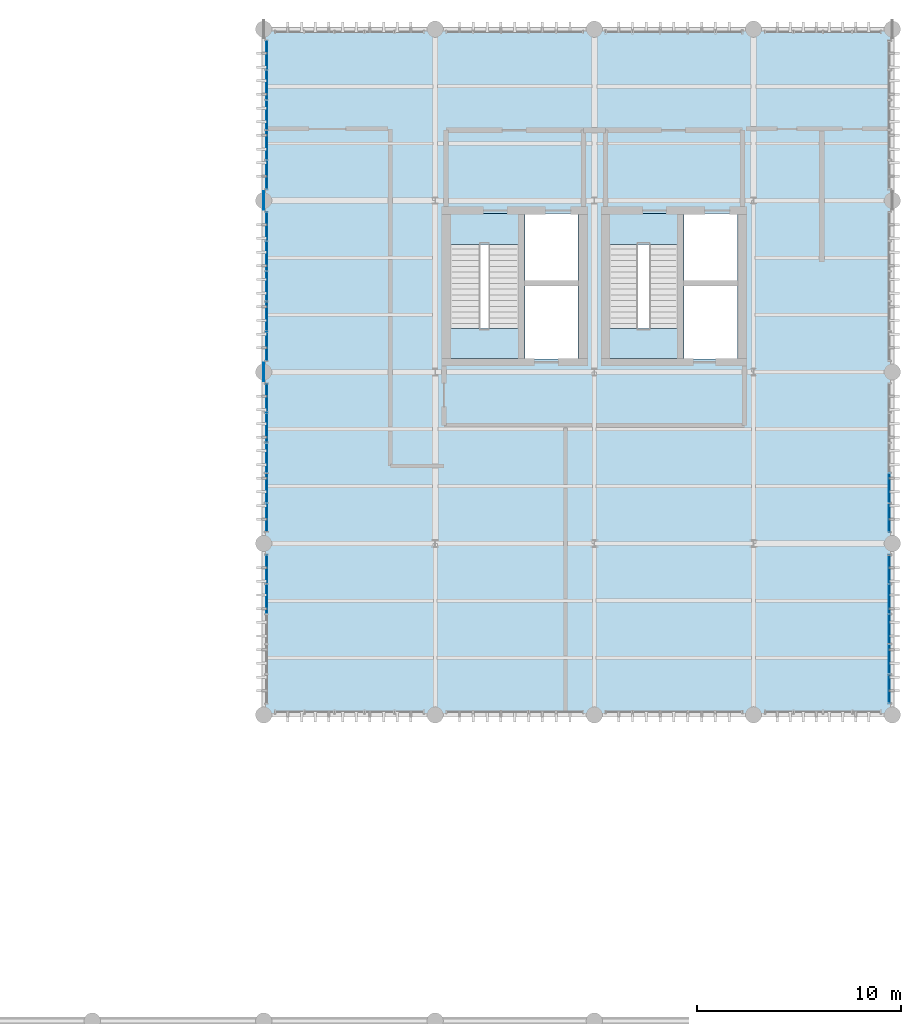
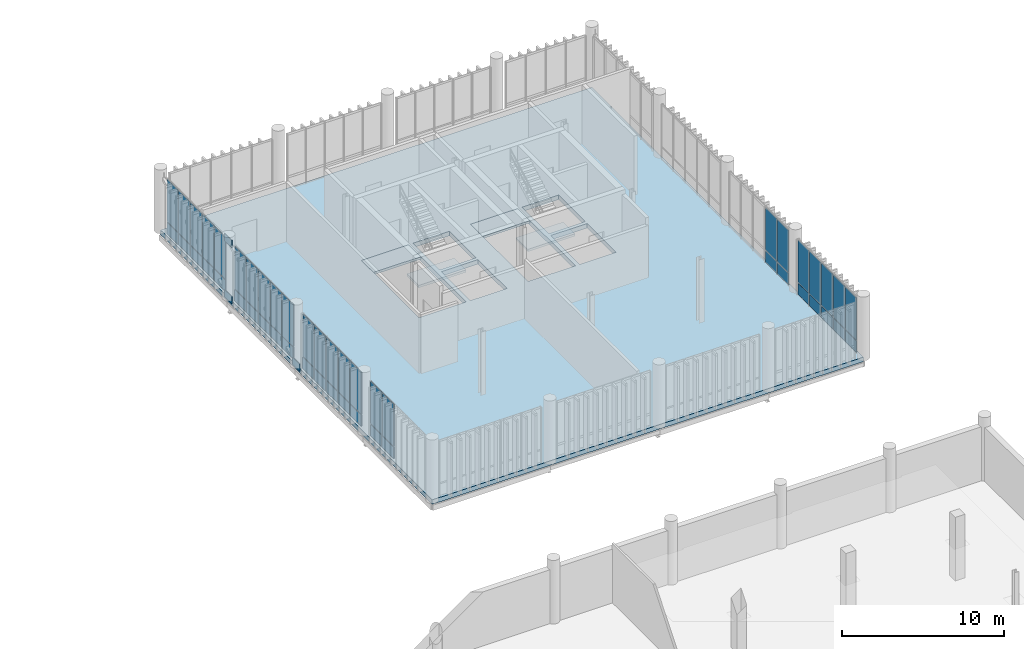
# One storey, part 73 of 94: 51 plates, 5 slabs, 8 elements without a shape of their own.
"""IFC4 building model written with IfcOpenShell, lengths in metres."""

from ifc_helpers import new_model, si_unit, direction, frame, frame_2d, origin_with_axes, origin_2d_with_axis, place, context, subcontext, project, spatial, polyline, rectangle, outline, extrude, material, layer, layer_set, type_object, element, aggregate, save


model = new_model("IFC4")

# Units and contexts
model_context = context("Model", 3, precision=1e-05, world=origin_with_axes(), true_north=direction((0.0, 1.0)))
body_context = subcontext(model_context, "Body", "Model", "MODEL_VIEW")
ifc_project = project(units=[si_unit("LENGTHUNIT", "METRE"), si_unit("AREAUNIT", "SQUARE_METRE"), si_unit("VOLUMEUNIT", "CUBIC_METRE"), si_unit("PLANEANGLEUNIT", "RADIAN"), si_unit("MASSUNIT", "GRAM", prefix="KILO"), si_unit("THERMODYNAMICTEMPERATUREUNIT", "KELVIN")], contexts=[model_context])

# Site, building, storey
site_placement = place(None, origin_with_axes())
site = spatial("IfcSite", under=ifc_project, at=site_placement, CompositionType="ELEMENT")
building_placement = place(site_placement, origin_with_axes())
building = spatial("IfcBuilding", under=site, at=building_placement, Name="Montbau Bow Law Courts", CompositionType="ELEMENT")
storey_placement = place(building_placement, frame((0.0, 0.0, 15.6), z_axis=(0.0, 0.0, 1.0), x_axis=(1.0, 0.0, 0.0)))
storey = spatial("IfcBuildingStorey", under=building, at=storey_placement, Name="L03", CompositionType="ELEMENT", Elevation=15.6)

# Curtain wall, plates
ifc_material_1 = material(Name="Thermally Broken Extruded Aluminium AA 6063-T6", Category="aluminium")
curtain_wall_type = type_object("IfcCurtainWallType", Name="CW-SLT-01", PredefinedType="NOTDEFINED", material=ifc_material_1)
curtain_wall_1_placement = place(None, frame((138.74, 70.115, 15.6), z_axis=(0.0, 0.0, 1.0), x_axis=(1.0, 0.0, 0.0)))
curtain_wall_1 = element("IfcCurtainWall", 1, at=curtain_wall_1_placement, inside=storey, type_object=curtain_wall_type, Name="CW-L03-317:cw_0317", PredefinedType="NOTDEFINED")
ifc_material_2 = material(Name="Triple-Glazed Low-E Argon Insulating Glass Unit", Category="glass")
ifc_layer_1 = layer(ifc_material_2, 0.044, Name="Curtain Panel", Category="glass")
ifc_layer_set_1 = layer_set([ifc_layer_1], Name="Triple-Glazed Low-E Argon Insulating Glass Unit")
plate_type_1 = type_object("IfcPlateType", Name="PL-CWP-01", PredefinedType="CURTAIN_PANEL", material=ifc_layer_set_1)
plate_1_placement = place(None, frame((138.74, 74.569, 16.579), z_axis=(1.0, 0.0, 0.0), x_axis=(0.0, 1.0, 0.0)))
plate_1 = element("IfcPlate", 2, at=plate_1_placement, type_object=plate_type_1, Name="CW-L03-317-P04-2:cw_0317_P04_2", PredefinedType="CURTAIN_PANEL", context=body_context, shape_type="SweptSolid", body=[
    extrude(rectangle(XDim=1.41, YDim=3.185, at=frame_2d((0.705, 1.5925), x_axis=(1.0, 0.0))), frame((0.0, 0.0, -0.022), z_axis=(0.0, 0.0, 1.0), x_axis=(1.0, 0.0, 0.0)), (0.0, 0.0, 1.0), 0.044),
])
plate_2_placement = place(None, frame((138.74, 76.043, 16.579), z_axis=(1.0, 0.0, 0.0), x_axis=(0.0, 1.0, 0.0)))
plate_2 = element("IfcPlate", 3, at=plate_2_placement, type_object=plate_type_1, Name="CW-L03-317-P05-2:cw_0317_P05_2", PredefinedType="CURTAIN_PANEL", context=body_context, shape_type="SweptSolid", body=[
    extrude(rectangle(XDim=1.38, YDim=3.185, at=frame_2d((0.69, 1.5925), x_axis=(1.0, 0.0))), frame((0.0, 0.0, -0.022), z_axis=(0.0, 0.0, 1.0), x_axis=(1.0, 0.0, 0.0)), (0.0, 0.0, 1.0), 0.044),
])

curtain_wall_2_placement = place(None, frame((138.74, 78.515, 15.6), z_axis=(0.0, 0.0, 1.0), x_axis=(1.0, 0.0, 0.0)))
curtain_wall_2 = element("IfcCurtainWall", 4, at=curtain_wall_2_placement, inside=storey, type_object=curtain_wall_type, Name="CW-L03-318:cw_0318", PredefinedType="NOTDEFINED")
plate_3_placement = place(None, frame((138.74, 78.591, 16.582), z_axis=(1.0, 0.0, 0.0), x_axis=(0.0, 1.0, 0.0)))
plate_3 = element("IfcPlate", 5, at=plate_3_placement, type_object=plate_type_1, Name="CW-L03-318-P01-2:cw_0318_P01_2", PredefinedType="CURTAIN_PANEL", context=body_context, shape_type="SweptSolid", body=[
    extrude(rectangle(XDim=1.358, YDim=3.176, at=frame_2d((0.679, 1.588), x_axis=(1.0, 0.0))), frame((0.0, 0.0, -0.022), z_axis=(0.0, 0.0, 1.0), x_axis=(1.0, 0.0, 0.0)), (0.0, 0.0, 1.0), 0.044),
])
plate_4_placement = place(None, frame((138.74, 80.029, 16.582), z_axis=(1.0, 0.0, 0.0), x_axis=(0.0, 1.0, 0.0)))
plate_4 = element("IfcPlate", 6, at=plate_4_placement, type_object=plate_type_1, Name="CW-L03-318-P02-2:cw_0318_P02_2", PredefinedType="CURTAIN_PANEL", context=body_context, shape_type="SweptSolid", body=[
    extrude(rectangle(XDim=1.395, YDim=3.176, at=frame_2d((0.6975, 1.588), x_axis=(1.0, 0.0))), frame((0.0, 0.0, -0.022), z_axis=(0.0, 0.0, 1.0), x_axis=(1.0, 0.0, 0.0)), (0.0, 0.0, 1.0), 0.044),
])
plate_5_placement = place(None, frame((138.74, 81.502, 16.582), z_axis=(1.0, 0.0, 0.0), x_axis=(0.0, 1.0, 0.0)))
plate_5 = element("IfcPlate", 7, at=plate_5_placement, type_object=plate_type_1, Name="CW-L03-318-P03-2:cw_0318_P03_2", PredefinedType="CURTAIN_PANEL", context=body_context, shape_type="SweptSolid", body=[
    extrude(rectangle(XDim=1.396, YDim=3.176, at=frame_2d((0.698, 1.588), x_axis=(1.0, 0.0))), frame((0.0, 0.0, -0.022), z_axis=(0.0, 0.0, 1.0), x_axis=(1.0, 0.0, 0.0)), (0.0, 0.0, 1.0), 0.044),
])
plate_6_placement = place(None, frame((138.74, 82.976, 16.582), z_axis=(1.0, 0.0, 0.0), x_axis=(0.0, 1.0, 0.0)))
plate_6 = element("IfcPlate", 8, at=plate_6_placement, type_object=plate_type_1, Name="CW-L03-318-P04-2:cw_0318_P04_2", PredefinedType="CURTAIN_PANEL", context=body_context, shape_type="SweptSolid", body=[
    extrude(rectangle(XDim=1.396, YDim=3.176, at=frame_2d((0.698, 1.588), x_axis=(1.0, 0.0))), frame((0.0, 0.0, -0.022), z_axis=(0.0, 0.0, 1.0), x_axis=(1.0, 0.0, 0.0)), (0.0, 0.0, 1.0), 0.044),
])
plate_7_placement = place(None, frame((138.74, 84.45, 16.582), z_axis=(1.0, 0.0, 0.0), x_axis=(0.0, 1.0, 0.0)))
plate_7 = element("IfcPlate", 9, at=plate_7_placement, type_object=plate_type_1, Name="CW-L03-318-P05-2:cw_0318_P05_2", PredefinedType="CURTAIN_PANEL", context=body_context, shape_type="SweptSolid", body=[
    extrude(rectangle(XDim=1.359, YDim=3.176, at=frame_2d((0.6795, 1.588), x_axis=(1.0, 0.0))), frame((0.0, 0.0, -0.022), z_axis=(0.0, 0.0, 1.0), x_axis=(1.0, 0.0, 0.0)), (0.0, 0.0, 1.0), 0.044),
])

curtain_wall_3_placement = place(None, frame((138.74, 86.915, 15.6), z_axis=(0.0, 0.0, 1.0), x_axis=(1.0, 0.0, 0.0)))
curtain_wall_3 = element("IfcCurtainWall", 10, at=curtain_wall_3_placement, inside=storey, type_object=curtain_wall_type, Name="CW-L03-319:cw_0319", PredefinedType="NOTDEFINED")
plate_8_placement = place(None, frame((138.74, 86.983, 16.579), z_axis=(1.0, 0.0, 0.0), x_axis=(0.0, 1.0, 0.0)))
plate_8 = element("IfcPlate", 11, at=plate_8_placement, type_object=plate_type_1, Name="CW-L03-319-P01-2:cw_0319_P01_2", PredefinedType="CURTAIN_PANEL", context=body_context, shape_type="SweptSolid", body=[
    extrude(rectangle(XDim=1.372, YDim=3.185, at=frame_2d((0.686, 1.5925), x_axis=(1.0, 0.0))), frame((0.0, 0.0, -0.022), z_axis=(0.0, 0.0, 1.0), x_axis=(1.0, 0.0, 0.0)), (0.0, 0.0, 1.0), 0.044),
])
plate_9_placement = place(None, frame((138.74, 88.423, 16.579), z_axis=(1.0, 0.0, 0.0), x_axis=(0.0, 1.0, 0.0)))
plate_9 = element("IfcPlate", 12, at=plate_9_placement, type_object=plate_type_1, Name="CW-L03-319-P02-2:cw_0319_P02_2", PredefinedType="CURTAIN_PANEL", context=body_context, shape_type="SweptSolid", body=[
    extrude(rectangle(XDim=1.405, YDim=3.185, at=frame_2d((0.7025, 1.5925), x_axis=(1.0, 0.0))), frame((0.0, 0.0, -0.022), z_axis=(0.0, 0.0, 1.0), x_axis=(1.0, 0.0, 0.0)), (0.0, 0.0, 1.0), 0.044),
])
plate_10_placement = place(None, frame((138.74, 89.897, 16.579), z_axis=(1.0, 0.0, 0.0), x_axis=(0.0, 1.0, 0.0)))
plate_10 = element("IfcPlate", 13, at=plate_10_placement, type_object=plate_type_1, Name="CW-L03-319-P03-2:cw_0319_P03_2", PredefinedType="CURTAIN_PANEL", context=body_context, shape_type="SweptSolid", body=[
    extrude(rectangle(XDim=1.406, YDim=3.185, at=frame_2d((0.703, 1.5925), x_axis=(1.0, 0.0))), frame((0.0, 0.0, -0.022), z_axis=(0.0, 0.0, 1.0), x_axis=(1.0, 0.0, 0.0)), (0.0, 0.0, 1.0), 0.044),
])
plate_11_placement = place(None, frame((138.74, 91.371, 16.579), z_axis=(1.0, 0.0, 0.0), x_axis=(0.0, 1.0, 0.0)))
plate_11 = element("IfcPlate", 14, at=plate_11_placement, type_object=plate_type_1, Name="CW-L03-319-P04-2:cw_0319_P04_2", PredefinedType="CURTAIN_PANEL", context=body_context, shape_type="SweptSolid", body=[
    extrude(rectangle(XDim=1.406, YDim=3.185, at=frame_2d((0.703, 1.5925), x_axis=(1.0, 0.0))), frame((0.0, 0.0, -0.022), z_axis=(0.0, 0.0, 1.0), x_axis=(1.0, 0.0, 0.0)), (0.0, 0.0, 1.0), 0.044),
])
plate_12_placement = place(None, frame((138.74, 92.845, 16.579), z_axis=(1.0, 0.0, 0.0), x_axis=(0.0, 1.0, 0.0)))
plate_12 = element("IfcPlate", 15, at=plate_12_placement, type_object=plate_type_1, Name="CW-L03-319-P05-2:cw_0319_P05_2", PredefinedType="CURTAIN_PANEL", context=body_context, shape_type="SweptSolid", body=[
    extrude(rectangle(XDim=1.373, YDim=3.185, at=frame_2d((0.6865, 1.5925), x_axis=(1.0, 0.0))), frame((0.0, 0.0, -0.022), z_axis=(0.0, 0.0, 1.0), x_axis=(1.0, 0.0, 0.0)), (0.0, 0.0, 1.0), 0.044),
])

curtain_wall_4_placement = place(None, frame((138.74, 95.315, 15.6), z_axis=(0.0, 0.0, 1.0), x_axis=(1.0, 0.0, 0.0)))
curtain_wall_4 = element("IfcCurtainWall", 16, at=curtain_wall_4_placement, inside=storey, type_object=curtain_wall_type, Name="CW-L03-320:cw_0320", PredefinedType="NOTDEFINED")
plate_13_placement = place(None, frame((138.74, 95.377, 16.582), z_axis=(1.0, 0.0, 0.0), x_axis=(0.0, 1.0, 0.0)))
plate_13 = element("IfcPlate", 17, at=plate_13_placement, type_object=plate_type_1, Name="CW-L03-320-P01-2:cw_0320_P01_2", PredefinedType="CURTAIN_PANEL", context=body_context, shape_type="SweptSolid", body=[
    extrude(rectangle(XDim=1.38, YDim=3.176, at=frame_2d((0.69, 1.588), x_axis=(1.0, 0.0))), frame((0.0, 0.0, -0.022), z_axis=(0.0, 0.0, 1.0), x_axis=(1.0, 0.0, 0.0)), (0.0, 0.0, 1.0), 0.044),
])
plate_14_placement = place(None, frame((138.74, 96.821, 16.582), z_axis=(1.0, 0.0, 0.0), x_axis=(0.0, 1.0, 0.0)))
plate_14 = element("IfcPlate", 18, at=plate_14_placement, type_object=plate_type_1, Name="CW-L03-320-P02-2:cw_0320_P02_2", PredefinedType="CURTAIN_PANEL", context=body_context, shape_type="SweptSolid", body=[
    extrude(rectangle(XDim=1.41, YDim=3.176, at=frame_2d((0.705, 1.588), x_axis=(1.0, 0.0))), frame((0.0, 0.0, -0.022), z_axis=(0.0, 0.0, 1.0), x_axis=(1.0, 0.0, 0.0)), (0.0, 0.0, 1.0), 0.044),
])
plate_15_placement = place(None, frame((138.74, 98.295, 16.582), z_axis=(1.0, 0.0, 0.0), x_axis=(0.0, 1.0, 0.0)))
plate_15 = element("IfcPlate", 19, at=plate_15_placement, type_object=plate_type_1, Name="CW-L03-320-P03-2:cw_0320_P03_2", PredefinedType="CURTAIN_PANEL", context=body_context, shape_type="SweptSolid", body=[
    extrude(rectangle(XDim=1.41, YDim=3.176, at=frame_2d((0.705, 1.588), x_axis=(1.0, 0.0))), frame((0.0, 0.0, -0.022), z_axis=(0.0, 0.0, 1.0), x_axis=(1.0, 0.0, 0.0)), (0.0, 0.0, 1.0), 0.044),
])
plate_16_placement = place(None, frame((138.74, 99.769, 16.582), z_axis=(1.0, 0.0, 0.0), x_axis=(0.0, 1.0, 0.0)))
plate_16 = element("IfcPlate", 20, at=plate_16_placement, type_object=plate_type_1, Name="CW-L03-320-P04-2:cw_0320_P04_2", PredefinedType="CURTAIN_PANEL", context=body_context, shape_type="SweptSolid", body=[
    extrude(rectangle(XDim=1.41, YDim=3.176, at=frame_2d((0.705, 1.588), x_axis=(1.0, 0.0))), frame((0.0, 0.0, -0.022), z_axis=(0.0, 0.0, 1.0), x_axis=(1.0, 0.0, 0.0)), (0.0, 0.0, 1.0), 0.044),
])
plate_17_placement = place(None, frame((138.74, 101.243, 16.582), z_axis=(1.0, 0.0, 0.0), x_axis=(0.0, 1.0, 0.0)))
plate_17 = element("IfcPlate", 21, at=plate_17_placement, type_object=plate_type_1, Name="CW-L03-320-P05-2:cw_0320_P05_2", PredefinedType="CURTAIN_PANEL", context=body_context, shape_type="SweptSolid", body=[
    extrude(rectangle(XDim=1.38, YDim=3.176, at=frame_2d((0.69, 1.588), x_axis=(1.0, 0.0))), frame((0.0, 0.0, -0.022), z_axis=(0.0, 0.0, 1.0), x_axis=(1.0, 0.0, 0.0)), (0.0, 0.0, 1.0), 0.044),
])

curtain_wall_5_placement = place(None, frame((169.26, 70.115, 15.6), z_axis=(0.0, 0.0, 1.0), x_axis=(1.0, 0.0, 0.0)))
curtain_wall_5 = element("IfcCurtainWall", 22, at=curtain_wall_5_placement, inside=storey, type_object=curtain_wall_type, Name="CW-L03-321:cw_0321", PredefinedType="NOTDEFINED")
plate_18_placement = place(None, frame((169.26, 70.191, 16.579), z_axis=(1.0, 0.0, 0.0), x_axis=(0.0, 1.0, 0.0)))
plate_18 = element("IfcPlate", 23, at=plate_18_placement, type_object=plate_type_1, Name="CW-L03-321-P01-2:cw_0321_P01_2", PredefinedType="CURTAIN_PANEL", context=body_context, shape_type="SweptSolid", body=[
    extrude(rectangle(XDim=1.358, YDim=3.185, at=frame_2d((0.679, 1.5925), x_axis=(1.0, 0.0))), frame((0.0, 0.0, -0.022), z_axis=(0.0, 0.0, 1.0), x_axis=(1.0, 0.0, 0.0)), (0.0, 0.0, 1.0), 0.044),
])
plate_19_placement = place(None, frame((169.26, 71.629, 16.579), z_axis=(1.0, 0.0, 0.0), x_axis=(0.0, 1.0, 0.0)))
plate_19 = element("IfcPlate", 24, at=plate_19_placement, type_object=plate_type_1, Name="CW-L03-321-P02-2:cw_0321_P02_2", PredefinedType="CURTAIN_PANEL", context=body_context, shape_type="SweptSolid", body=[
    extrude(rectangle(XDim=1.395, YDim=3.185, at=frame_2d((0.6975, 1.5925), x_axis=(1.0, 0.0))), frame((0.0, 0.0, -0.022), z_axis=(0.0, 0.0, 1.0), x_axis=(1.0, 0.0, 0.0)), (0.0, 0.0, 1.0), 0.044),
])
plate_20_placement = place(None, frame((169.26, 73.102, 16.579), z_axis=(1.0, 0.0, 0.0), x_axis=(0.0, 1.0, 0.0)))
plate_20 = element("IfcPlate", 25, at=plate_20_placement, type_object=plate_type_1, Name="CW-L03-321-P03-2:cw_0321_P03_2", PredefinedType="CURTAIN_PANEL", context=body_context, shape_type="SweptSolid", body=[
    extrude(rectangle(XDim=1.396, YDim=3.185, at=frame_2d((0.698, 1.5925), x_axis=(1.0, 0.0))), frame((0.0, 0.0, -0.022), z_axis=(0.0, 0.0, 1.0), x_axis=(1.0, 0.0, 0.0)), (0.0, 0.0, 1.0), 0.044),
])
plate_21_placement = place(None, frame((169.26, 74.576, 16.579), z_axis=(1.0, 0.0, 0.0), x_axis=(0.0, 1.0, 0.0)))
plate_21 = element("IfcPlate", 26, at=plate_21_placement, type_object=plate_type_1, Name="CW-L03-321-P04-2:cw_0321_P04_2", PredefinedType="CURTAIN_PANEL", context=body_context, shape_type="SweptSolid", body=[
    extrude(rectangle(XDim=1.396, YDim=3.185, at=frame_2d((0.698, 1.5925), x_axis=(1.0, 0.0))), frame((0.0, 0.0, -0.022), z_axis=(0.0, 0.0, 1.0), x_axis=(1.0, 0.0, 0.0)), (0.0, 0.0, 1.0), 0.044),
])
plate_22_placement = place(None, frame((169.26, 76.05, 16.579), z_axis=(1.0, 0.0, 0.0), x_axis=(0.0, 1.0, 0.0)))
plate_22 = element("IfcPlate", 27, at=plate_22_placement, type_object=plate_type_1, Name="CW-L03-321-P05-2:cw_0321_P05_2", PredefinedType="CURTAIN_PANEL", context=body_context, shape_type="SweptSolid", body=[
    extrude(rectangle(XDim=1.359, YDim=3.185, at=frame_2d((0.6795, 1.5925), x_axis=(1.0, 0.0))), frame((0.0, 0.0, -0.022), z_axis=(0.0, 0.0, 1.0), x_axis=(1.0, 0.0, 0.0)), (0.0, 0.0, 1.0), 0.044),
])

curtain_wall_6_placement = place(None, frame((169.26, 78.515, 15.6), z_axis=(0.0, 0.0, 1.0), x_axis=(1.0, 0.0, 0.0)))
curtain_wall_6 = element("IfcCurtainWall", 28, at=curtain_wall_6_placement, inside=storey, type_object=curtain_wall_type, Name="CW-L03-322:cw_0322", PredefinedType="NOTDEFINED")
plate_23_placement = place(None, frame((169.26, 78.583, 16.582), z_axis=(1.0, 0.0, 0.0), x_axis=(0.0, 1.0, 0.0)))
plate_23 = element("IfcPlate", 29, at=plate_23_placement, type_object=plate_type_1, Name="CW-L03-322-P01-2:cw_0322_P01_2", PredefinedType="CURTAIN_PANEL", context=body_context, shape_type="SweptSolid", body=[
    extrude(rectangle(XDim=1.372, YDim=3.176, at=frame_2d((0.686, 1.588), x_axis=(1.0, 0.0))), frame((0.0, 0.0, -0.022), z_axis=(0.0, 0.0, 1.0), x_axis=(1.0, 0.0, 0.0)), (0.0, 0.0, 1.0), 0.044),
])
plate_24_placement = place(None, frame((169.26, 80.023, 16.582), z_axis=(1.0, 0.0, 0.0), x_axis=(0.0, 1.0, 0.0)))
plate_24 = element("IfcPlate", 30, at=plate_24_placement, type_object=plate_type_1, Name="CW-L03-322-P02-2:cw_0322_P02_2", PredefinedType="CURTAIN_PANEL", context=body_context, shape_type="SweptSolid", body=[
    extrude(rectangle(XDim=1.405, YDim=3.176, at=frame_2d((0.7025, 1.588), x_axis=(1.0, 0.0))), frame((0.0, 0.0, -0.022), z_axis=(0.0, 0.0, 1.0), x_axis=(1.0, 0.0, 0.0)), (0.0, 0.0, 1.0), 0.044),
])

# Plate
ifc_material_3 = material(Name="Insulated Ceramic-Frit Spandrel Glazing Unit", Category="glass")
ifc_layer_2 = layer(ifc_material_3, 0.056, Name="Curtain Panel", Category="glass")
ifc_layer_set_2 = layer_set([ifc_layer_2], Name="Insulated Ceramic-Frit Spandrel Glazing Unit")
plate_type_2 = type_object("IfcPlateType", Name="PL-CWP-02", PredefinedType="CURTAIN_PANEL", material=ifc_layer_set_2)
plate_25_placement = place(None, frame((138.74, 74.569, 15.657), z_axis=(1.0, 0.0, 0.0), x_axis=(0.0, 1.0, 0.0)))
plate_25 = element("IfcPlate", 31, at=plate_25_placement, type_object=plate_type_2, Name="CW-L03-317-P04-1:cw_0317_P04_1", PredefinedType="CURTAIN_PANEL", context=body_context, shape_type="SweptSolid", body=[
    extrude(rectangle(XDim=1.41, YDim=0.864, at=frame_2d((0.705, 0.432), x_axis=(1.0, 0.0))), frame((0.0, 0.0, -0.028), z_axis=(0.0, 0.0, 1.0), x_axis=(1.0, 0.0, 0.0)), (0.0, 0.0, 1.0), 0.056),
])

plate_26_placement = place(None, frame((138.74, 76.043, 15.657), z_axis=(1.0, 0.0, 0.0), x_axis=(0.0, 1.0, 0.0)))
plate_26 = element("IfcPlate", 32, at=plate_26_placement, type_object=plate_type_2, Name="CW-L03-317-P05-1:cw_0317_P05_1", PredefinedType="CURTAIN_PANEL", context=body_context, shape_type="SweptSolid", body=[
    extrude(rectangle(XDim=1.38, YDim=0.864, at=frame_2d((0.69, 0.432), x_axis=(1.0, 0.0))), frame((0.0, 0.0, -0.028), z_axis=(0.0, 0.0, 1.0), x_axis=(1.0, 0.0, 0.0)), (0.0, 0.0, 1.0), 0.056),
])

aggregate(curtain_wall_1, [plate_25, plate_1, plate_26, plate_2])

plate_27_placement = place(None, frame((138.74, 78.591, 15.662), z_axis=(1.0, 0.0, 0.0), x_axis=(0.0, 1.0, 0.0)))
plate_27 = element("IfcPlate", 33, at=plate_27_placement, type_object=plate_type_2, Name="CW-L03-318-P01-1:cw_0318_P01_1", PredefinedType="CURTAIN_PANEL", context=body_context, shape_type="SweptSolid", body=[
    extrude(rectangle(XDim=1.358, YDim=0.856, at=frame_2d((0.679, 0.428), x_axis=(1.0, 0.0))), frame((0.0, 0.0, -0.028), z_axis=(0.0, 0.0, 1.0), x_axis=(1.0, 0.0, 0.0)), (0.0, 0.0, 1.0), 0.056),
])

plate_28_placement = place(None, frame((138.74, 80.029, 15.662), z_axis=(1.0, 0.0, 0.0), x_axis=(0.0, 1.0, 0.0)))
plate_28 = element("IfcPlate", 34, at=plate_28_placement, type_object=plate_type_2, Name="CW-L03-318-P02-1:cw_0318_P02_1", PredefinedType="CURTAIN_PANEL", context=body_context, shape_type="SweptSolid", body=[
    extrude(rectangle(XDim=1.395, YDim=0.856, at=frame_2d((0.6975, 0.428), x_axis=(1.0, 0.0))), frame((0.0, 0.0, -0.028), z_axis=(0.0, 0.0, 1.0), x_axis=(1.0, 0.0, 0.0)), (0.0, 0.0, 1.0), 0.056),
])

plate_29_placement = place(None, frame((138.74, 81.502, 15.662), z_axis=(1.0, 0.0, 0.0), x_axis=(0.0, 1.0, 0.0)))
plate_29 = element("IfcPlate", 35, at=plate_29_placement, type_object=plate_type_2, Name="CW-L03-318-P03-1:cw_0318_P03_1", PredefinedType="CURTAIN_PANEL", context=body_context, shape_type="SweptSolid", body=[
    extrude(rectangle(XDim=1.396, YDim=0.856, at=frame_2d((0.698, 0.428), x_axis=(1.0, 0.0))), frame((0.0, 0.0, -0.028), z_axis=(0.0, 0.0, 1.0), x_axis=(1.0, 0.0, 0.0)), (0.0, 0.0, 1.0), 0.056),
])

plate_30_placement = place(None, frame((138.74, 82.976, 15.662), z_axis=(1.0, 0.0, 0.0), x_axis=(0.0, 1.0, 0.0)))
plate_30 = element("IfcPlate", 36, at=plate_30_placement, type_object=plate_type_2, Name="CW-L03-318-P04-1:cw_0318_P04_1", PredefinedType="CURTAIN_PANEL", context=body_context, shape_type="SweptSolid", body=[
    extrude(rectangle(XDim=1.396, YDim=0.856, at=frame_2d((0.698, 0.428), x_axis=(1.0, 0.0))), frame((0.0, 0.0, -0.028), z_axis=(0.0, 0.0, 1.0), x_axis=(1.0, 0.0, 0.0)), (0.0, 0.0, 1.0), 0.056),
])

plate_31_placement = place(None, frame((138.74, 84.45, 15.662), z_axis=(1.0, 0.0, 0.0), x_axis=(0.0, 1.0, 0.0)))
plate_31 = element("IfcPlate", 37, at=plate_31_placement, type_object=plate_type_2, Name="CW-L03-318-P05-1:cw_0318_P05_1", PredefinedType="CURTAIN_PANEL", context=body_context, shape_type="SweptSolid", body=[
    extrude(rectangle(XDim=1.359, YDim=0.856, at=frame_2d((0.6795, 0.428), x_axis=(1.0, 0.0))), frame((0.0, 0.0, -0.028), z_axis=(0.0, 0.0, 1.0), x_axis=(1.0, 0.0, 0.0)), (0.0, 0.0, 1.0), 0.056),
])

aggregate(curtain_wall_2, [plate_27, plate_3, plate_28, plate_4, plate_29, plate_5, plate_30, plate_6, plate_31, plate_7])

plate_32_placement = place(None, frame((138.74, 86.983, 15.657), z_axis=(1.0, 0.0, 0.0), x_axis=(0.0, 1.0, 0.0)))
plate_32 = element("IfcPlate", 38, at=plate_32_placement, type_object=plate_type_2, Name="CW-L03-319-P01-1:cw_0319_P01_1", PredefinedType="CURTAIN_PANEL", context=body_context, shape_type="SweptSolid", body=[
    extrude(rectangle(XDim=1.372, YDim=0.864, at=frame_2d((0.686, 0.432), x_axis=(1.0, 0.0))), frame((0.0, 0.0, -0.028), z_axis=(0.0, 0.0, 1.0), x_axis=(1.0, 0.0, 0.0)), (0.0, 0.0, 1.0), 0.056),
])

plate_33_placement = place(None, frame((138.74, 88.423, 15.657), z_axis=(1.0, 0.0, 0.0), x_axis=(0.0, 1.0, 0.0)))
plate_33 = element("IfcPlate", 39, at=plate_33_placement, type_object=plate_type_2, Name="CW-L03-319-P02-1:cw_0319_P02_1", PredefinedType="CURTAIN_PANEL", context=body_context, shape_type="SweptSolid", body=[
    extrude(rectangle(XDim=1.405, YDim=0.864, at=frame_2d((0.7025, 0.432), x_axis=(1.0, 0.0))), frame((0.0, 0.0, -0.028), z_axis=(0.0, 0.0, 1.0), x_axis=(1.0, 0.0, 0.0)), (0.0, 0.0, 1.0), 0.056),
])

plate_34_placement = place(None, frame((138.74, 89.897, 15.657), z_axis=(1.0, 0.0, 0.0), x_axis=(0.0, 1.0, 0.0)))
plate_34 = element("IfcPlate", 40, at=plate_34_placement, type_object=plate_type_2, Name="CW-L03-319-P03-1:cw_0319_P03_1", PredefinedType="CURTAIN_PANEL", context=body_context, shape_type="SweptSolid", body=[
    extrude(rectangle(XDim=1.406, YDim=0.864, at=frame_2d((0.703, 0.432), x_axis=(1.0, 0.0))), frame((0.0, 0.0, -0.028), z_axis=(0.0, 0.0, 1.0), x_axis=(1.0, 0.0, 0.0)), (0.0, 0.0, 1.0), 0.056),
])

plate_35_placement = place(None, frame((138.74, 91.371, 15.657), z_axis=(1.0, 0.0, 0.0), x_axis=(0.0, 1.0, 0.0)))
plate_35 = element("IfcPlate", 41, at=plate_35_placement, type_object=plate_type_2, Name="CW-L03-319-P04-1:cw_0319_P04_1", PredefinedType="CURTAIN_PANEL", context=body_context, shape_type="SweptSolid", body=[
    extrude(rectangle(XDim=1.406, YDim=0.864, at=frame_2d((0.703, 0.432), x_axis=(1.0, 0.0))), frame((0.0, 0.0, -0.028), z_axis=(0.0, 0.0, 1.0), x_axis=(1.0, 0.0, 0.0)), (0.0, 0.0, 1.0), 0.056),
])

plate_36_placement = place(None, frame((138.74, 92.845, 15.657), z_axis=(1.0, 0.0, 0.0), x_axis=(0.0, 1.0, 0.0)))
plate_36 = element("IfcPlate", 42, at=plate_36_placement, type_object=plate_type_2, Name="CW-L03-319-P05-1:cw_0319_P05_1", PredefinedType="CURTAIN_PANEL", context=body_context, shape_type="SweptSolid", body=[
    extrude(rectangle(XDim=1.373, YDim=0.864, at=frame_2d((0.6865, 0.432), x_axis=(1.0, 0.0))), frame((0.0, 0.0, -0.028), z_axis=(0.0, 0.0, 1.0), x_axis=(1.0, 0.0, 0.0)), (0.0, 0.0, 1.0), 0.056),
])

aggregate(curtain_wall_3, [plate_32, plate_8, plate_33, plate_9, plate_34, plate_10, plate_35, plate_11, plate_36, plate_12])

plate_37_placement = place(None, frame((138.74, 95.377, 15.662), z_axis=(1.0, 0.0, 0.0), x_axis=(0.0, 1.0, 0.0)))
plate_37 = element("IfcPlate", 43, at=plate_37_placement, type_object=plate_type_2, Name="CW-L03-320-P01-1:cw_0320_P01_1", PredefinedType="CURTAIN_PANEL", context=body_context, shape_type="SweptSolid", body=[
    extrude(rectangle(XDim=1.38, YDim=0.856, at=frame_2d((0.69, 0.428), x_axis=(1.0, 0.0))), frame((0.0, 0.0, -0.028), z_axis=(0.0, 0.0, 1.0), x_axis=(1.0, 0.0, 0.0)), (0.0, 0.0, 1.0), 0.056),
])

plate_38_placement = place(None, frame((138.74, 96.821, 15.662), z_axis=(1.0, 0.0, 0.0), x_axis=(0.0, 1.0, 0.0)))
plate_38 = element("IfcPlate", 44, at=plate_38_placement, type_object=plate_type_2, Name="CW-L03-320-P02-1:cw_0320_P02_1", PredefinedType="CURTAIN_PANEL", context=body_context, shape_type="SweptSolid", body=[
    extrude(rectangle(XDim=1.41, YDim=0.856, at=frame_2d((0.705, 0.428), x_axis=(1.0, 0.0))), frame((0.0, 0.0, -0.028), z_axis=(0.0, 0.0, 1.0), x_axis=(1.0, 0.0, 0.0)), (0.0, 0.0, 1.0), 0.056),
])

plate_39_placement = place(None, frame((138.74, 98.295, 15.662), z_axis=(1.0, 0.0, 0.0), x_axis=(0.0, 1.0, 0.0)))
plate_39 = element("IfcPlate", 45, at=plate_39_placement, type_object=plate_type_2, Name="CW-L03-320-P03-1:cw_0320_P03_1", PredefinedType="CURTAIN_PANEL", context=body_context, shape_type="SweptSolid", body=[
    extrude(rectangle(XDim=1.41, YDim=0.856, at=frame_2d((0.705, 0.428), x_axis=(1.0, 0.0))), frame((0.0, 0.0, -0.028), z_axis=(0.0, 0.0, 1.0), x_axis=(1.0, 0.0, 0.0)), (0.0, 0.0, 1.0), 0.056),
])

plate_40_placement = place(None, frame((138.74, 99.769, 15.662), z_axis=(1.0, 0.0, 0.0), x_axis=(0.0, 1.0, 0.0)))
plate_40 = element("IfcPlate", 46, at=plate_40_placement, type_object=plate_type_2, Name="CW-L03-320-P04-1:cw_0320_P04_1", PredefinedType="CURTAIN_PANEL", context=body_context, shape_type="SweptSolid", body=[
    extrude(rectangle(XDim=1.41, YDim=0.856, at=frame_2d((0.705, 0.428), x_axis=(1.0, 0.0))), frame((0.0, 0.0, -0.028), z_axis=(0.0, 0.0, 1.0), x_axis=(1.0, 0.0, 0.0)), (0.0, 0.0, 1.0), 0.056),
])

plate_41_placement = place(None, frame((138.74, 101.243, 15.662), z_axis=(1.0, 0.0, 0.0), x_axis=(0.0, 1.0, 0.0)))
plate_41 = element("IfcPlate", 47, at=plate_41_placement, type_object=plate_type_2, Name="CW-L03-320-P05-1:cw_0320_P05_1", PredefinedType="CURTAIN_PANEL", context=body_context, shape_type="SweptSolid", body=[
    extrude(rectangle(XDim=1.38, YDim=0.856, at=frame_2d((0.69, 0.428), x_axis=(1.0, 0.0))), frame((0.0, 0.0, -0.028), z_axis=(0.0, 0.0, 1.0), x_axis=(1.0, 0.0, 0.0)), (0.0, 0.0, 1.0), 0.056),
])

aggregate(curtain_wall_4, [plate_37, plate_13, plate_38, plate_14, plate_39, plate_15, plate_40, plate_16, plate_41, plate_17])

plate_42_placement = place(None, frame((169.26, 70.191, 15.657), z_axis=(1.0, 0.0, 0.0), x_axis=(0.0, 1.0, 0.0)))
plate_42 = element("IfcPlate", 48, at=plate_42_placement, type_object=plate_type_2, Name="CW-L03-321-P01-1:cw_0321_P01_1", PredefinedType="CURTAIN_PANEL", context=body_context, shape_type="SweptSolid", body=[
    extrude(rectangle(XDim=1.358, YDim=0.864, at=frame_2d((0.679, 0.432), x_axis=(1.0, 0.0))), frame((0.0, 0.0, -0.028), z_axis=(0.0, 0.0, 1.0), x_axis=(1.0, 0.0, 0.0)), (0.0, 0.0, 1.0), 0.056),
])

plate_43_placement = place(None, frame((169.26, 71.629, 15.657), z_axis=(1.0, 0.0, 0.0), x_axis=(0.0, 1.0, 0.0)))
plate_43 = element("IfcPlate", 49, at=plate_43_placement, type_object=plate_type_2, Name="CW-L03-321-P02-1:cw_0321_P02_1", PredefinedType="CURTAIN_PANEL", context=body_context, shape_type="SweptSolid", body=[
    extrude(rectangle(XDim=1.395, YDim=0.864, at=frame_2d((0.6975, 0.432), x_axis=(1.0, 0.0))), frame((0.0, 0.0, -0.028), z_axis=(0.0, 0.0, 1.0), x_axis=(1.0, 0.0, 0.0)), (0.0, 0.0, 1.0), 0.056),
])

plate_44_placement = place(None, frame((169.26, 73.102, 15.657), z_axis=(1.0, 0.0, 0.0), x_axis=(0.0, 1.0, 0.0)))
plate_44 = element("IfcPlate", 50, at=plate_44_placement, type_object=plate_type_2, Name="CW-L03-321-P03-1:cw_0321_P03_1", PredefinedType="CURTAIN_PANEL", context=body_context, shape_type="SweptSolid", body=[
    extrude(rectangle(XDim=1.396, YDim=0.864, at=frame_2d((0.698, 0.432), x_axis=(1.0, 0.0))), frame((0.0, 0.0, -0.028), z_axis=(0.0, 0.0, 1.0), x_axis=(1.0, 0.0, 0.0)), (0.0, 0.0, 1.0), 0.056),
])

plate_45_placement = place(None, frame((169.26, 74.576, 15.657), z_axis=(1.0, 0.0, 0.0), x_axis=(0.0, 1.0, 0.0)))
plate_45 = element("IfcPlate", 51, at=plate_45_placement, type_object=plate_type_2, Name="CW-L03-321-P04-1:cw_0321_P04_1", PredefinedType="CURTAIN_PANEL", context=body_context, shape_type="SweptSolid", body=[
    extrude(rectangle(XDim=1.396, YDim=0.864, at=frame_2d((0.698, 0.432), x_axis=(1.0, 0.0))), frame((0.0, 0.0, -0.028), z_axis=(0.0, 0.0, 1.0), x_axis=(1.0, 0.0, 0.0)), (0.0, 0.0, 1.0), 0.056),
])

plate_46_placement = place(None, frame((169.26, 76.05, 15.657), z_axis=(1.0, 0.0, 0.0), x_axis=(0.0, 1.0, 0.0)))
plate_46 = element("IfcPlate", 52, at=plate_46_placement, type_object=plate_type_2, Name="CW-L03-321-P05-1:cw_0321_P05_1", PredefinedType="CURTAIN_PANEL", context=body_context, shape_type="SweptSolid", body=[
    extrude(rectangle(XDim=1.359, YDim=0.864, at=frame_2d((0.6795, 0.432), x_axis=(1.0, 0.0))), frame((0.0, 0.0, -0.028), z_axis=(0.0, 0.0, 1.0), x_axis=(1.0, 0.0, 0.0)), (0.0, 0.0, 1.0), 0.056),
])

aggregate(curtain_wall_5, [plate_42, plate_18, plate_43, plate_19, plate_44, plate_20, plate_45, plate_21, plate_46, plate_22])

plate_47_placement = place(None, frame((169.26, 78.583, 15.662), z_axis=(1.0, 0.0, 0.0), x_axis=(0.0, 1.0, 0.0)))
plate_47 = element("IfcPlate", 53, at=plate_47_placement, type_object=plate_type_2, Name="CW-L03-322-P01-1:cw_0322_P01_1", PredefinedType="CURTAIN_PANEL", context=body_context, shape_type="SweptSolid", body=[
    extrude(rectangle(XDim=1.372, YDim=0.856, at=frame_2d((0.686, 0.428), x_axis=(1.0, 0.0))), frame((0.0, 0.0, -0.028), z_axis=(0.0, 0.0, 1.0), x_axis=(1.0, 0.0, 0.0)), (0.0, 0.0, 1.0), 0.056),
])

plate_48_placement = place(None, frame((169.26, 80.023, 15.662), z_axis=(1.0, 0.0, 0.0), x_axis=(0.0, 1.0, 0.0)))
plate_48 = element("IfcPlate", 54, at=plate_48_placement, type_object=plate_type_2, Name="CW-L03-322-P02-1:cw_0322_P02_1", PredefinedType="CURTAIN_PANEL", context=body_context, shape_type="SweptSolid", body=[
    extrude(rectangle(XDim=1.405, YDim=0.856, at=frame_2d((0.7025, 0.428), x_axis=(1.0, 0.0))), frame((0.0, 0.0, -0.028), z_axis=(0.0, 0.0, 1.0), x_axis=(1.0, 0.0, 0.0)), (0.0, 0.0, 1.0), 0.056),
])

aggregate(curtain_wall_6, [plate_47, plate_23, plate_48, plate_24])

# Plates
ifc_material_4 = material(Name="Steel CSA G40.21 Grade 350WT (350 MPa)", Category="steel")
ifc_layer_3 = layer(ifc_material_4, 0.032, Name="Gusset Plate", Category="steel")
ifc_layer_set_3 = layer_set([ifc_layer_3], Name="Steel CSA G40.21 Grade 350WT (350 MPa)")
plate_type_3 = type_object("IfcPlateType", Name="PL-GUS-01", PredefinedType="USERDEFINED", material=ifc_layer_set_3)
for number, where, z_axis, x_axis, name in (
    (55, (138.6, 86.4, 15.37), (0.0, 0.0, 1.0), (0.0, 1.0, 0.0), "BGP-L03-142:plt_0173"),
    (56, (138.6, 94.8, 19.627), (0.0, 0.0, 1.0), (0.0, 1.0, 0.0), "BGP-L03-143:plt_0174"),
    (57, (138.6, 94.8, 15.37), (0.0, 0.0, 1.0), (0.0, 1.0, 0.0), "BGP-L03-156:plt_0187"),
):
    element("IfcPlate", number, at=place(None, frame(where, z_axis=z_axis, x_axis=x_axis)), inside=storey, type_object=plate_type_3, Name=name, ObjectType="GUSSET_PLATE", PredefinedType="USERDEFINED", context=body_context, shape_type="SweptSolid", body=[
        extrude(rectangle(XDim=0.9, YDim=0.032, at=origin_2d_with_axis()), origin_with_axes(), (0.0, 0.0, 1.0), 0.56),
    ])

# Slab
ifc_material_5 = material(Name="Concrete CSA A23.1 f'c 40 MPa", Category="concrete")
ifc_layer_4 = layer(ifc_material_5, 0.34, Name="Floor Slab", Category="concrete")
ifc_layer_set_4 = layer_set([ifc_layer_4], Name="Concrete CSA A23.1 f'c 40 MPa")
slab_type_1 = type_object("IfcSlabType", Name="SL-FLR-07", PredefinedType="FLOOR", material=ifc_layer_set_4)
slab_1_placement = place(None, frame((0.0, 0.0, 15.26), z_axis=(0.0, 0.0, 1.0), x_axis=(1.0, 0.0, 0.0)))
element("IfcSlab", 58, at=slab_1_placement, inside=storey, type_object=slab_type_1, Name="SL-V5-L03:slb_0028", PredefinedType="FLOOR", context=body_context, shape_type="SweptSolid", body=[
    extrude(outline(polyline([(138.6, 69.6), (169.4, 69.6), (169.4, 103.2), (138.6, 103.2), (138.6, 69.6)]), holes=[polyline([(147.72, 87.04), (151.1, 87.04), (151.1, 94.142), (147.72, 94.142), (147.72, 87.04)]), polyline([(151.4, 87.04), (154.01, 87.04), (154.01, 90.622), (151.4, 90.622), (151.4, 87.04)]), polyline([(151.4, 90.862), (154.01, 90.862), (154.01, 94.16), (151.4, 94.16), (151.4, 90.862)]), polyline([(155.52, 87.04), (158.9, 87.04), (158.9, 94.142), (155.52, 94.142), (155.52, 87.04)]), polyline([(159.2, 87.04), (161.81, 87.04), (161.81, 90.622), (159.2, 90.622), (159.2, 87.04)]), polyline([(159.2, 90.862), (161.81, 90.862), (161.81, 94.16), (159.2, 94.16), (159.2, 90.862)])]), origin_with_axes(), (0.0, 0.0, 1.0), 0.34),
])

# Stair, slabs
stair_type_1 = type_object("IfcStairType", Name="ST-PUB-1800", PredefinedType="HALF_TURN_STAIR", material=ifc_material_5)
stair_1_placement = place(None, frame((148.505, 92.7, 15.6), z_axis=(0.0, 0.0, 1.0), x_axis=(1.0, 0.0, 0.0)))
stair_1 = element("IfcStair", 59, at=stair_1_placement, inside=storey, type_object=stair_type_1, Name="ST-P2-L03:str_0037", PredefinedType="HALF_TURN_STAIR")
ifc_layer_5 = layer(ifc_material_5, 0.18, Name="Landing", Category="concrete")
ifc_layer_set_5 = layer_set([ifc_layer_5], Name="Concrete CSA A23.1 f'c 40 MPa")
slab_type_2 = type_object("IfcSlabType", Name="SL-LND-01", PredefinedType="LANDING", material=ifc_layer_set_5)
slab_2_placement = place(None, frame((0.0, 0.0, 15.42), z_axis=(0.0, 0.0, 1.0), x_axis=(1.0, 0.0, 0.0)))
slab_2 = element("IfcSlab", 60, at=slab_2_placement, type_object=slab_type_2, Name="ST-P2-L03-LB:str_0037_LB", PredefinedType="LANDING", context=body_context, shape_type="SweptSolid", body=[
    extrude(outline(polyline([(147.72, 92.66), (151.1, 92.66), (151.1, 94.16), (147.72, 94.16), (147.72, 92.66)])), origin_with_axes(), (0.0, 0.0, 1.0), 0.18),
])
slab_3_placement = place(None, frame((0.0, 0.0, 17.82), z_axis=(0.0, 0.0, 1.0), x_axis=(1.0, 0.0, 0.0)))
slab_3 = element("IfcSlab", 61, at=slab_3_placement, type_object=slab_type_2, Name="ST-P2-L03-LM:str_0037_LM", PredefinedType="LANDING", context=body_context, shape_type="SweptSolid", body=[
    extrude(outline(polyline([(147.72, 87.07), (151.1, 87.07), (151.1, 88.54), (147.72, 88.54), (147.72, 87.07)])), origin_with_axes(), (0.0, 0.0, 1.0), 0.18),
])
aggregate(stair_1, [slab_2, slab_3])

stair_type_2 = type_object("IfcStairType", Name="ST-JUD-1500", PredefinedType="HALF_TURN_STAIR", material=ifc_material_5)
stair_2_placement = place(None, frame((156.265, 92.7, 15.6), z_axis=(0.0, 0.0, 1.0), x_axis=(1.0, 0.0, 0.0)))
stair_2 = element("IfcStair", 62, at=stair_2_placement, inside=storey, type_object=stair_type_2, Name="ST-J2-L03:str_0048", PredefinedType="HALF_TURN_STAIR")
slab_4_placement = place(None, frame((0.0, 0.0, 15.42), z_axis=(0.0, 0.0, 1.0), x_axis=(1.0, 0.0, 0.0)))
slab_4 = element("IfcSlab", 63, at=slab_4_placement, type_object=slab_type_2, Name="ST-J2-L03-LB:str_0048_LB", PredefinedType="LANDING", context=body_context, shape_type="SweptSolid", body=[
    extrude(outline(polyline([(155.52, 92.66), (158.9, 92.66), (158.9, 94.16), (155.52, 94.16), (155.52, 92.66)])), origin_with_axes(), (0.0, 0.0, 1.0), 0.18),
])
slab_5_placement = place(None, frame((0.0, 0.0, 17.82), z_axis=(0.0, 0.0, 1.0), x_axis=(1.0, 0.0, 0.0)))
slab_5 = element("IfcSlab", 64, at=slab_5_placement, type_object=slab_type_2, Name="ST-J2-L03-LM:str_0048_LM", PredefinedType="LANDING", context=body_context, shape_type="SweptSolid", body=[
    extrude(outline(polyline([(155.52, 87.07), (158.9, 87.07), (158.9, 88.54), (155.52, 88.54), (155.52, 87.07)])), origin_with_axes(), (0.0, 0.0, 1.0), 0.18),
])
aggregate(stair_2, [slab_4, slab_5])

save(model, "model.ifc")
